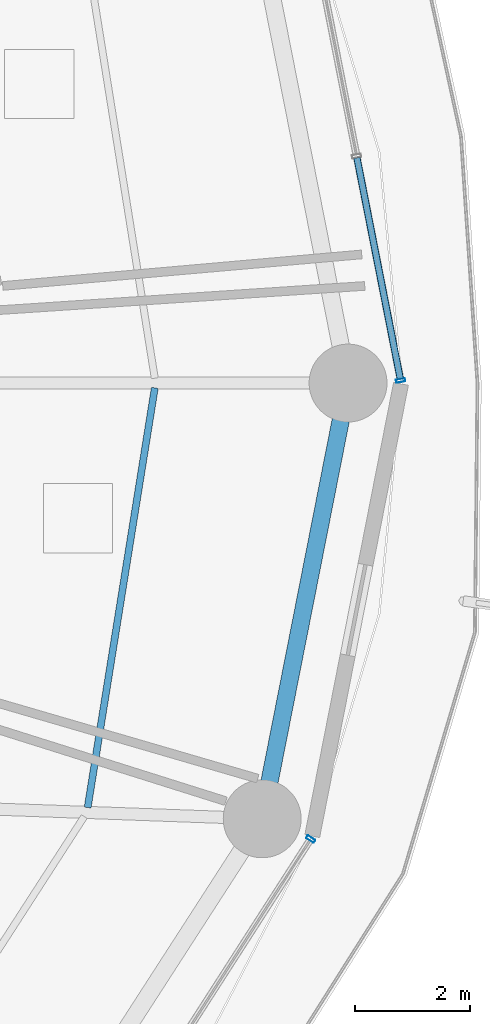
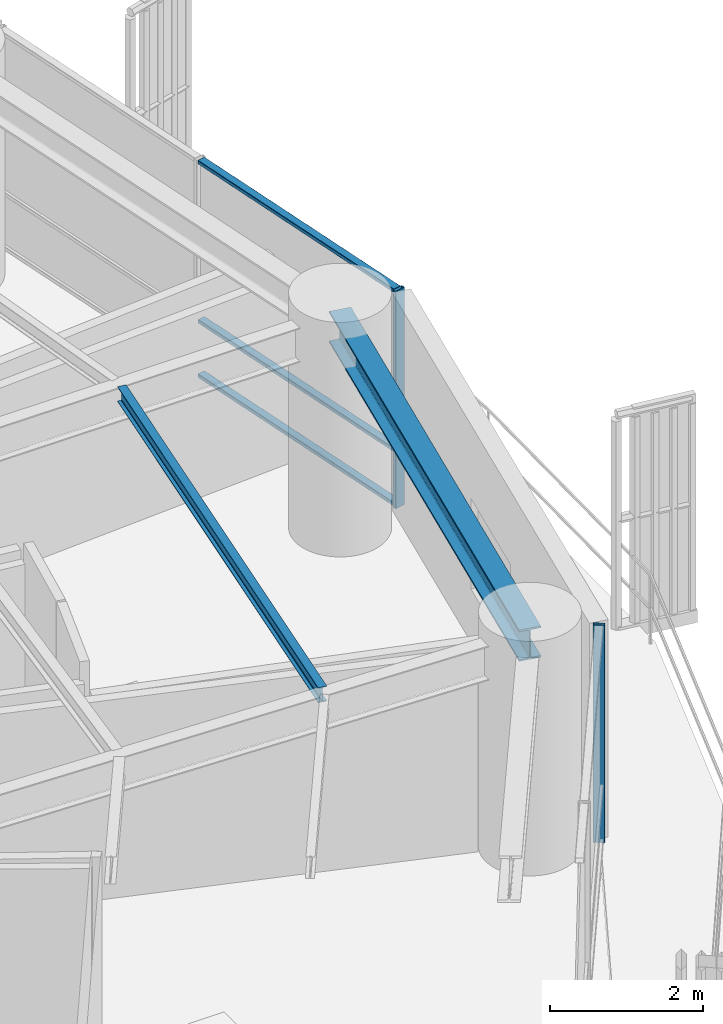
# One storey, part 16 of 36: 5 members, 2 beams, 2 elements without a shape of their own.
"""IFC4 building model written with IfcOpenShell, lengths in metres."""

from ifc_helpers import new_model, si_unit, direction, frame, origin, origin_2d, place, context, subcontext, project, spatial, hollow_rectangle, i_section, extrude, material, layer, layer_set, material_profile, profile_set, type_object, element, aggregate, save


model = new_model("IFC4")

# Units and contexts
model_context = context("Model", 3, precision=1e-05, world=origin(), true_north=direction((0.0, 1.0)))
body_context = subcontext(model_context, "Body", "Model", "MODEL_VIEW")
ifc_project = project(units=[si_unit("LENGTHUNIT", "METRE"), si_unit("AREAUNIT", "SQUARE_METRE"), si_unit("VOLUMEUNIT", "CUBIC_METRE"), si_unit("PLANEANGLEUNIT", "RADIAN"), si_unit("MASSUNIT", "GRAM", prefix="KILO")], contexts=[model_context])

# Site, building, storey
site_placement = place(None, origin())
site = spatial("IfcSite", under=ifc_project, at=site_placement, CompositionType="ELEMENT")
building_placement = place(site_placement, origin())
building = spatial("IfcBuilding", under=site, at=building_placement, Name="Kelanora Arch Commons", CompositionType="ELEMENT")
storey_placement = place(building_placement, frame((0.0, 0.0, 102.60009765625)))
storey = spatial("IfcBuildingStorey", under=building, at=storey_placement, Name="L26", CompositionType="ELEMENT", Elevation=102.60009765625)

# Beams
ifc_material_1 = material(Name="Steel S355", Category="steel")
ifc_material_profile_1 = material_profile(ifc_material_1, i_section(OverallWidth=0.1201171875, OverallDepth=0.239990234375, WebThickness=0.006103515625, FlangeThickness=0.009765625, FilletRadius=0.014892578125, at=origin_2d()), Name="IPE240")
ifc_profile_set_1 = profile_set([ifc_material_profile_1], Name="Steel S355")
beam_type_1 = type_object("IfcBeamType", Name="BM-JST-02", PredefinedType="JOIST", material=ifc_profile_set_1)
beam_1_placement = place(storey_placement, frame((94.166748046875, 50.642578125, 3.369873046875), z_axis=(0.157999549894, 0.987439184068, 0.0), x_axis=(-0.987439184068, 0.157999549894, 0.0)))
element("IfcBeam", 1, at=beam_1_placement, inside=storey, type_object=beam_type_1, Name="Secondary Chord Joist BJC-34 L26", PredefinedType="JOIST", context=body_context, shape_type="SweptSolid", body=[
    extrude(i_section(OverallWidth=0.1201171875, OverallDepth=0.239990234375, WebThickness=0.006103515625, FlangeThickness=0.009765625, FilletRadius=0.014892578125, at=origin_2d()), origin(), (0.0, 0.0, 1.0), 7.365966796875),
])
ifc_material_profile_2 = material_profile(ifc_material_1, i_section(OverallWidth=0.300048828125, OverallDepth=0.5, WebThickness=0.014404296875, FlangeThickness=0.028076171875, FilletRadius=0.027099609375, at=origin_2d()), Name="HEB500")
ifc_profile_set_2 = profile_set([ifc_material_profile_2], Name="Steel S355")
beam_type_2 = type_object("IfcBeamType", Name="BM-SPN-Z2", PredefinedType="SPANDREL", material=ifc_profile_set_2)
beam_2_placement = place(storey_placement, frame((97.191650390625, 50.4482421875, 3.239990234375), z_axis=(0.19335825777, 0.981128220037, 0.0), x_axis=(-0.981128220037, 0.19335825777, 0.0)))
element("IfcBeam", 2, at=beam_2_placement, inside=storey, type_object=beam_type_2, Name="Perimeter Spandrel Beam BS-34 L26", PredefinedType="SPANDREL", context=body_context, shape_type="SweptSolid", body=[
    extrude(i_section(OverallWidth=0.300048828125, OverallDepth=0.5, WebThickness=0.014404296875, FlangeThickness=0.028076171875, FilletRadius=0.027099609375, at=origin_2d()), origin(), (0.0, 0.0, 1.0), 7.697021484375),
])

# Curtain wall, member
ifc_material_2 = material(Name="Terracotta ceramic-fritted low-E glass and aluminium", Category="masonry")
ifc_layer = layer(ifc_material_2, 0.159912109375)
ifc_layer_set = layer_set([ifc_layer], Name="Terracotta ceramic-fritted low-E glass and aluminium")
curtain_wall_type = type_object("IfcCurtainWallType", Name="CW-SYS-01", PredefinedType="NOTDEFINED", material=ifc_layer_set)
curtain_wall_1_placement = place(storey_placement, origin())
curtain_wall_1 = element("IfcCurtainWall", 3, at=curtain_wall_1_placement, inside=storey, type_object=curtain_wall_type, Name="Unitised Curtain Wall L26-B00", PredefinedType="NOTDEFINED")
ifc_material_3 = material(Name="Powder-coated aluminium terracotta", Category="masonry")
ifc_material_profile_3 = material_profile(ifc_material_3, hollow_rectangle(XDim=0.159912109375, YDim=0.06005859375, WallThickness=0.0048828125, InnerFilletRadius=0.0048828125, OuterFilletRadius=0.010009765625, at=origin_2d()), Name="CWM160x60")
ifc_profile_set_3 = profile_set([ifc_material_profile_3], Name="Powder-coated aluminium terracotta")
member_type_1 = type_object("IfcMemberType", Name="CWM-STD", PredefinedType="MULLION", material=ifc_profile_set_3)
member_1_placement = place(storey_placement, frame((99.59130859375, 58.044189453125, 0.0), z_axis=(0.0, 0.0, 1.0), x_axis=(-0.981280311646, -0.192584916272, 0.0)))
member_1 = element("IfcMember", 4, at=member_1_placement, type_object=member_type_1, Name="CW-01 mullion 1", PredefinedType="MULLION", context=body_context, shape_type="SweptSolid", body=[
    extrude(hollow_rectangle(XDim=0.159912109375, YDim=0.06005859375, WallThickness=0.0048828125, InnerFilletRadius=0.0048828125, OuterFilletRadius=0.010009765625, at=origin_2d()), origin(), (0.0, 0.0, 1.0), 3.474853515625),
])

curtain_wall_2_placement = place(storey_placement, origin())
curtain_wall_2 = element("IfcCurtainWall", 5, at=curtain_wall_2_placement, inside=storey, type_object=curtain_wall_type, Name="Unitised Curtain Wall L26-B16", PredefinedType="NOTDEFINED")
member_2_placement = place(storey_placement, frame((98.03173828125, 50.095703125, 0.0), z_axis=(0.0, 0.0, 1.0), x_axis=(-0.841268883088, 0.540616931244, 0.0)))
member_2 = element("IfcMember", 6, at=member_2_placement, type_object=member_type_1, Name="CW-01 mullion 3", PredefinedType="MULLION", context=body_context, shape_type="SweptSolid", body=[
    extrude(hollow_rectangle(XDim=0.159912109375, YDim=0.06005859375, WallThickness=0.0048828125, InnerFilletRadius=0.0048828125, OuterFilletRadius=0.010009765625, at=origin_2d()), origin(), (0.0, 0.0, 1.0), 3.474853515625),
])
aggregate(curtain_wall_2, [member_2])

# Member
ifc_material_profile_4 = material_profile(ifc_material_3, hollow_rectangle(XDim=0.1201171875, YDim=0.06005859375, WallThickness=0.0048828125, InnerFilletRadius=0.0048828125, OuterFilletRadius=0.010009765625, at=origin_2d()), Name="CWT120x60")
ifc_profile_set_4 = profile_set([ifc_material_profile_4], Name="Powder-coated aluminium terracotta")
member_type_2 = type_object("IfcMemberType", Name="CWT-STD", PredefinedType="USERDEFINED", material=ifc_profile_set_4)
member_3_placement = place(storey_placement, frame((99.58544921875, 58.073486328125, 0.02978515625), z_axis=(-0.192578614785, 0.981281548348, 0.0), x_axis=(-0.981281548348, -0.192578614785, 0.0)))
member_3 = element("IfcMember", 7, at=member_3_placement, type_object=member_type_2, Name="CW-01 transom 1.1", ObjectType="TRANSOM", PredefinedType="USERDEFINED", context=body_context, shape_type="SweptSolid", body=[
    extrude(hollow_rectangle(XDim=0.1201171875, YDim=0.06005859375, WallThickness=0.0048828125, InnerFilletRadius=0.0048828125, OuterFilletRadius=0.010009765625, at=origin_2d()), origin(), (0.0, 0.0, 1.0), 3.9033203125),
])

member_4_placement = place(storey_placement, frame((99.58544921875, 58.073486328125, 0.89990234375), z_axis=(-0.192578614785, 0.981281548348, 0.0), x_axis=(-0.981281548348, -0.192578614785, 0.0)))
member_4 = element("IfcMember", 8, at=member_4_placement, type_object=member_type_2, Name="CW-01 transom 1.2", ObjectType="TRANSOM", PredefinedType="USERDEFINED", context=body_context, shape_type="SweptSolid", body=[
    extrude(hollow_rectangle(XDim=0.1201171875, YDim=0.06005859375, WallThickness=0.0048828125, InnerFilletRadius=0.0048828125, OuterFilletRadius=0.010009765625, at=origin_2d()), origin(), (0.0, 0.0, 1.0), 3.9033203125),
])

member_5_placement = place(storey_placement, frame((99.58544921875, 58.073486328125, 3.44482421875), z_axis=(-0.192578614785, 0.981281548348, 0.0), x_axis=(-0.981281548348, -0.192578614785, 0.0)))
member_5 = element("IfcMember", 9, at=member_5_placement, type_object=member_type_2, Name="CW-01 transom 1.3", ObjectType="TRANSOM", PredefinedType="USERDEFINED", context=body_context, shape_type="SweptSolid", body=[
    extrude(hollow_rectangle(XDim=0.1201171875, YDim=0.06005859375, WallThickness=0.0048828125, InnerFilletRadius=0.0048828125, OuterFilletRadius=0.010009765625, at=origin_2d()), origin(), (0.0, 0.0, 1.0), 3.9033203125),
])

aggregate(curtain_wall_1, [member_1, member_3, member_4, member_5])

save(model, "model.ifc")
